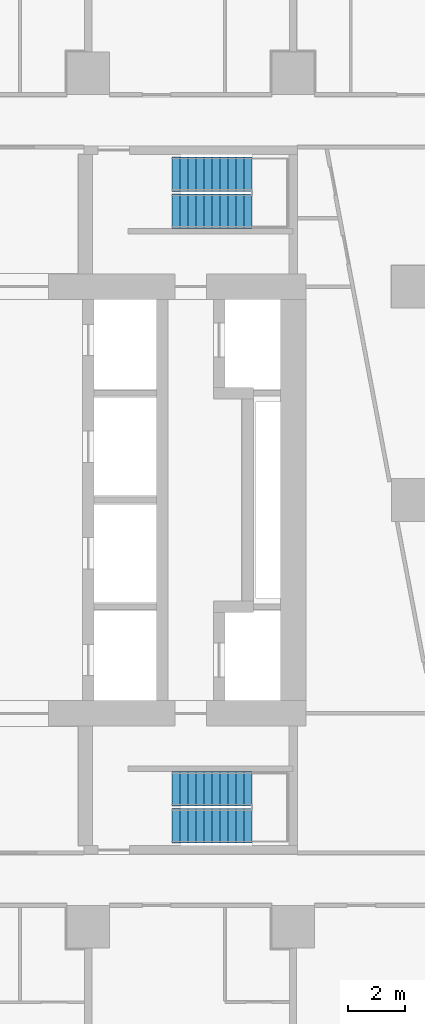
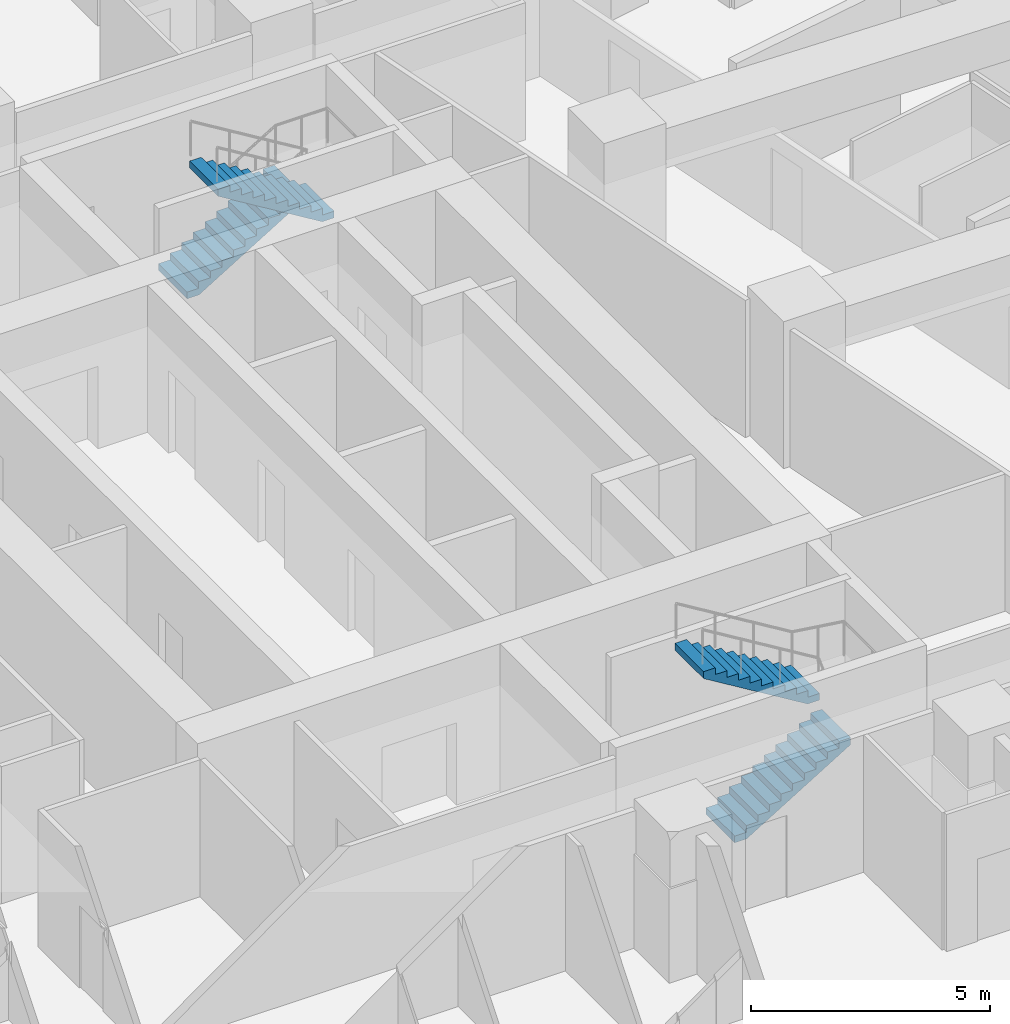
# One storey, part 13 of 15: 4 stair flights, 2 elements without a shape of their own.
"""IFC4 building model written with IfcOpenShell, lengths in metres."""

from ifc_helpers import new_model, si_unit, direction, frame, origin, place, context, subcontext, project, spatial, triangles, material, type_object, element, aggregate, save


model = new_model("IFC4")

# Units and contexts
model_context = context("Model", 3, precision=1e-05, world=origin(), true_north=direction((0.0, 1.0)))
body_context = subcontext(model_context, "Body", "Model", "MODEL_VIEW")
ifc_project = project(units=[si_unit("LENGTHUNIT", "METRE"), si_unit("AREAUNIT", "SQUARE_METRE"), si_unit("VOLUMEUNIT", "CUBIC_METRE"), si_unit("PLANEANGLEUNIT", "RADIAN"), si_unit("MASSUNIT", "GRAM", prefix="KILO")], contexts=[model_context])

# Site, building, storey
site_placement = place(None, origin())
site = spatial("IfcSite", under=ifc_project, at=site_placement, CompositionType="ELEMENT")
building_placement = place(site_placement, origin())
building = spatial("IfcBuilding", under=site, at=building_placement, Name="Sheger Commons Tower", CompositionType="ELEMENT")
storey_placement = place(building_placement, frame((0.0, 0.0, 173.300048828125)))
storey = spatial("IfcBuildingStorey", under=building, at=storey_placement, Name="L44", CompositionType="ELEMENT", Elevation=173.300048828125)

# Stair, stair flights
ifc_material_1 = material(Name="Concrete C35/45", Category="concrete")
stair_type = type_object("IfcStairType", Name="HALF-TURN STAIR 1200 RISE 3750", PredefinedType="HALF_TURN_STAIR", material=ifc_material_1)
stair_1_placement = place(storey_placement, origin())
stair_1 = element("IfcStair", 1, at=stair_1_placement, inside=storey, type_object=stair_type, Name="Stair S1 L44", PredefinedType="HALF_TURN_STAIR")
ifc_material_2 = material(Name="Concrete C35/45", Category="concrete")
stair_flight_type = type_object("IfcStairFlightType", Name="STAIR FLIGHT 1200 11 RISERS OF 170", PredefinedType="STRAIGHT", material=ifc_material_2)
stair_flight_1_placement = place(storey_placement, frame((24.550048828125, 11.050048828125, 0.0), z_axis=(0.0, 0.0, 1.0), x_axis=(1.0, 0.0, 0.0)))
stair_flight_1 = element("IfcStairFlight", 2, at=stair_flight_1_placement, type_object=stair_flight_type, Name="S1 flight 1", NumberOfRisers=11, NumberOfTreads=10, PredefinedType="STRAIGHT", RiserHeight=0.170454545, TreadLength=0.28, context=body_context, shape_type="Tessellation", body=[
    triangles([(0.0, 0.5999755859375, 0.0), (0.0, 0.5999755859375, 0.17041015625), (0.280029296875, 0.5999755859375, 0.17041015625), (0.280029296875, 0.5999755859375, 0.3408203125), (0.56005859375, 0.5999755859375, 0.3408203125), (0.56005859375, 0.5999755859375, 0.511474609375), (0.840087890625, 0.5999755859375, 0.511474609375), (0.840087890625, 0.5999755859375, 0.681884765625), (1.1201171875, 0.5999755859375, 0.681884765625), (1.1201171875, 0.5999755859375, 0.852294921875), (1.39990234375, 0.5999755859375, 0.852294921875), (1.39990234375, 0.5999755859375, 1.022705078125), (1.679931640625, 0.5999755859375, 1.022705078125), (1.679931640625, 0.5999755859375, 1.193115234375), (1.9599609375, 0.5999755859375, 1.193115234375), (1.9599609375, 0.5999755859375, 1.363525390625), (2.239990234375, 0.5999755859375, 1.363525390625), (2.239990234375, 0.5999755859375, 1.5341796875), (2.52001953125, 0.5999755859375, 1.5341796875), (2.52001953125, 0.5999755859375, 1.70458984375), (2.800048828125, 0.5999755859375, 1.70458984375), (2.800048828125, 0.5999755859375, 1.529052734375), (0.288330078125, 0.5999755859375, 0.0), (0.0, -0.5999755859375, 0.0), (0.0, -0.5999755859375, 0.17041015625), (0.280029296875, -0.5999755859375, 0.17041015625), (0.280029296875, -0.5999755859375, 0.3408203125), (0.56005859375, -0.5999755859375, 0.3408203125), (0.56005859375, -0.5999755859375, 0.511474609375), (0.840087890625, -0.5999755859375, 0.511474609375), (0.840087890625, -0.5999755859375, 0.681884765625), (1.1201171875, -0.5999755859375, 0.681884765625), (1.1201171875, -0.5999755859375, 0.852294921875), (1.39990234375, -0.5999755859375, 0.852294921875), (1.39990234375, -0.5999755859375, 1.022705078125), (1.679931640625, -0.5999755859375, 1.022705078125), (1.679931640625, -0.5999755859375, 1.193115234375), (1.9599609375, -0.5999755859375, 1.193115234375), (1.9599609375, -0.5999755859375, 1.363525390625), (2.239990234375, -0.5999755859375, 1.363525390625), (2.239990234375, -0.5999755859375, 1.5341796875), (2.52001953125, -0.5999755859375, 1.5341796875), (2.52001953125, -0.5999755859375, 1.70458984375), (2.800048828125, -0.5999755859375, 1.70458984375), (2.800048828125, -0.5999755859375, 1.529052734375), (0.288330078125, -0.5999755859375, 0.0), (0.0, 0.0, 0.085205078125), (0.1400146484375, 0.0, 0.17041015625), (0.280029296875, 0.0, 0.255615234375), (0.4200439453125, 0.0, 0.3408203125), (0.56005859375, 0.0, 0.4261474609375), (0.7000732421875, 0.0, 0.511474609375), (0.840087890625, 0.0, 0.5966796875), (0.9801025390625, 0.0, 0.681884765625), (1.1201171875, 0.0, 0.76708984375), (1.260009765625, 0.0, 0.852294921875), (1.39990234375, 0.0, 0.9375), (1.5399169921875, 0.0, 1.022705078125), (1.679931640625, 0.0, 1.10791015625), (1.8199462890625, 0.0, 1.193115234375), (1.9599609375, 0.0, 1.2783203125), (2.0999755859375, 0.0, 1.363525390625), (2.239990234375, 0.0, 1.4488525390625), (2.3800048828125, 0.0, 1.5341796875), (2.52001953125, 0.0, 1.619384765625), (2.6600341796875, 0.0, 1.70458984375), (2.800048828125, 0.0, 1.6168212890625), (1.544189453125, 0.0, 0.7645263671875), (0.1441650390625, 0.0, 0.0)], [[1, 22, 23], [24, 46, 45], [22, 20, 21], [45, 44, 43], [22, 19, 20], [45, 43, 42], [22, 18, 19], [45, 42, 41], [22, 17, 18], [45, 41, 40], [17, 15, 16], [40, 39, 38], [22, 15, 17], [45, 40, 38], [15, 13, 14], [38, 37, 36], [22, 13, 15], [45, 38, 36], [13, 11, 12], [36, 35, 34], [22, 11, 13], [45, 36, 34], [11, 9, 10], [34, 33, 32], [22, 9, 11], [45, 34, 32], [9, 7, 8], [32, 31, 30], [22, 7, 9], [45, 32, 30], [7, 5, 6], [30, 29, 28], [22, 5, 7], [45, 30, 28], [5, 3, 4], [28, 27, 26], [22, 3, 5], [45, 28, 26], [1, 3, 22], [24, 45, 26], [3, 1, 2], [26, 25, 24], [1, 47, 2], [2, 47, 25], [25, 47, 24], [24, 47, 1], [2, 48, 3], [3, 48, 26], [26, 48, 25], [25, 48, 2], [3, 49, 4], [4, 49, 27], [27, 49, 26], [26, 49, 3], [4, 50, 5], [5, 50, 28], [28, 50, 27], [27, 50, 4], [5, 51, 6], [6, 51, 29], [29, 51, 28], [28, 51, 5], [6, 52, 7], [7, 52, 30], [30, 52, 29], [29, 52, 6], [7, 53, 8], [8, 53, 31], [31, 53, 30], [30, 53, 7], [8, 54, 9], [9, 54, 32], [32, 54, 31], [31, 54, 8], [9, 55, 10], [10, 55, 33], [33, 55, 32], [32, 55, 9], [10, 56, 11], [11, 56, 34], [34, 56, 33], [33, 56, 10], [11, 57, 12], [12, 57, 35], [35, 57, 34], [34, 57, 11], [12, 58, 13], [13, 58, 36], [36, 58, 35], [35, 58, 12], [13, 59, 14], [14, 59, 37], [37, 59, 36], [36, 59, 13], [14, 60, 15], [15, 60, 38], [38, 60, 37], [37, 60, 14], [15, 61, 16], [16, 61, 39], [39, 61, 38], [38, 61, 15], [16, 62, 17], [17, 62, 40], [40, 62, 39], [39, 62, 16], [17, 63, 18], [18, 63, 41], [41, 63, 40], [40, 63, 17], [18, 64, 19], [19, 64, 42], [42, 64, 41], [41, 64, 18], [19, 65, 20], [20, 65, 43], [43, 65, 42], [42, 65, 19], [20, 66, 21], [21, 66, 44], [44, 66, 43], [43, 66, 20], [21, 67, 22], [22, 67, 45], [45, 67, 44], [44, 67, 21], [22, 68, 23], [23, 68, 46], [46, 68, 45], [45, 68, 22], [23, 69, 1], [1, 69, 24], [24, 69, 46], [46, 69, 23]], closed=True),
])
stair_flight_2_placement = place(storey_placement, frame((27.35009765625, 12.35009765625, 1.875), z_axis=(0.0, 0.0, 1.0), x_axis=(-1.0, 0.0, 0.0)))
stair_flight_2 = element("IfcStairFlight", 3, at=stair_flight_2_placement, type_object=stair_flight_type, Name="S1 flight 2", NumberOfRisers=11, NumberOfTreads=10, PredefinedType="STRAIGHT", RiserHeight=0.170454545, TreadLength=0.28, context=body_context, shape_type="Tessellation", body=[
    triangles([(0.0, 0.5999755859375, 0.0), (0.0, 0.5999755859375, 0.17041015625), (0.280029296875, 0.5999755859375, 0.17041015625), (0.280029296875, 0.5999755859375, 0.3408203125), (0.56005859375, 0.5999755859375, 0.3408203125), (0.56005859375, 0.5999755859375, 0.511474609375), (0.840087890625, 0.5999755859375, 0.511474609375), (0.840087890625, 0.5999755859375, 0.681884765625), (1.1201171875, 0.5999755859375, 0.681884765625), (1.1201171875, 0.5999755859375, 0.852294921875), (1.39990234375, 0.5999755859375, 0.852294921875), (1.39990234375, 0.5999755859375, 1.022705078125), (1.679931640625, 0.5999755859375, 1.022705078125), (1.679931640625, 0.5999755859375, 1.193115234375), (1.9599609375, 0.5999755859375, 1.193115234375), (1.9599609375, 0.5999755859375, 1.363525390625), (2.239990234375, 0.5999755859375, 1.363525390625), (2.239990234375, 0.5999755859375, 1.5341796875), (2.52001953125, 0.5999755859375, 1.5341796875), (2.52001953125, 0.5999755859375, 1.70458984375), (2.800048828125, 0.5999755859375, 1.70458984375), (2.800048828125, 0.5999755859375, 1.529052734375), (0.288330078125, 0.5999755859375, 0.0), (0.0, -0.5999755859375, 0.0), (0.0, -0.5999755859375, 0.17041015625), (0.280029296875, -0.5999755859375, 0.17041015625), (0.280029296875, -0.5999755859375, 0.3408203125), (0.56005859375, -0.5999755859375, 0.3408203125), (0.56005859375, -0.5999755859375, 0.511474609375), (0.840087890625, -0.5999755859375, 0.511474609375), (0.840087890625, -0.5999755859375, 0.681884765625), (1.1201171875, -0.5999755859375, 0.681884765625), (1.1201171875, -0.5999755859375, 0.852294921875), (1.39990234375, -0.5999755859375, 0.852294921875), (1.39990234375, -0.5999755859375, 1.022705078125), (1.679931640625, -0.5999755859375, 1.022705078125), (1.679931640625, -0.5999755859375, 1.193115234375), (1.9599609375, -0.5999755859375, 1.193115234375), (1.9599609375, -0.5999755859375, 1.363525390625), (2.239990234375, -0.5999755859375, 1.363525390625), (2.239990234375, -0.5999755859375, 1.5341796875), (2.52001953125, -0.5999755859375, 1.5341796875), (2.52001953125, -0.5999755859375, 1.70458984375), (2.800048828125, -0.5999755859375, 1.70458984375), (2.800048828125, -0.5999755859375, 1.529052734375), (0.288330078125, -0.5999755859375, 0.0), (0.0, 0.0, 0.085205078125), (0.1400146484375, 0.0, 0.17041015625), (0.280029296875, 0.0, 0.255615234375), (0.4200439453125, 0.0, 0.3408203125), (0.56005859375, 0.0, 0.4261474609375), (0.7000732421875, 0.0, 0.511474609375), (0.840087890625, 0.0, 0.5966796875), (0.9801025390625, 0.0, 0.681884765625), (1.1201171875, 0.0, 0.76708984375), (1.260009765625, 0.0, 0.852294921875), (1.39990234375, 0.0, 0.9375), (1.5399169921875, 0.0, 1.022705078125), (1.679931640625, 0.0, 1.10791015625), (1.8199462890625, 0.0, 1.193115234375), (1.9599609375, 0.0, 1.2783203125), (2.0999755859375, 0.0, 1.363525390625), (2.239990234375, 0.0, 1.4488525390625), (2.3800048828125, 0.0, 1.5341796875), (2.52001953125, 0.0, 1.619384765625), (2.6600341796875, 0.0, 1.70458984375), (2.800048828125, 0.0, 1.6168212890625), (1.544189453125, 0.0, 0.7645263671875), (0.1441650390625, 0.0, 0.0)], [[1, 22, 23], [24, 46, 45], [22, 20, 21], [45, 44, 43], [22, 19, 20], [45, 43, 42], [22, 18, 19], [45, 42, 41], [22, 17, 18], [45, 41, 40], [17, 15, 16], [40, 39, 38], [22, 15, 17], [45, 40, 38], [15, 13, 14], [38, 37, 36], [22, 13, 15], [45, 38, 36], [13, 11, 12], [36, 35, 34], [22, 11, 13], [45, 36, 34], [11, 9, 10], [34, 33, 32], [22, 9, 11], [45, 34, 32], [9, 7, 8], [32, 31, 30], [22, 7, 9], [45, 32, 30], [7, 5, 6], [30, 29, 28], [22, 5, 7], [45, 30, 28], [5, 3, 4], [28, 27, 26], [22, 3, 5], [45, 28, 26], [1, 3, 22], [24, 45, 26], [3, 1, 2], [26, 25, 24], [1, 47, 2], [2, 47, 25], [25, 47, 24], [24, 47, 1], [2, 48, 3], [3, 48, 26], [26, 48, 25], [25, 48, 2], [3, 49, 4], [4, 49, 27], [27, 49, 26], [26, 49, 3], [4, 50, 5], [5, 50, 28], [28, 50, 27], [27, 50, 4], [5, 51, 6], [6, 51, 29], [29, 51, 28], [28, 51, 5], [6, 52, 7], [7, 52, 30], [30, 52, 29], [29, 52, 6], [7, 53, 8], [8, 53, 31], [31, 53, 30], [30, 53, 7], [8, 54, 9], [9, 54, 32], [32, 54, 31], [31, 54, 8], [9, 55, 10], [10, 55, 33], [33, 55, 32], [32, 55, 9], [10, 56, 11], [11, 56, 34], [34, 56, 33], [33, 56, 10], [11, 57, 12], [12, 57, 35], [35, 57, 34], [34, 57, 11], [12, 58, 13], [13, 58, 36], [36, 58, 35], [35, 58, 12], [13, 59, 14], [14, 59, 37], [37, 59, 36], [36, 59, 13], [14, 60, 15], [15, 60, 38], [38, 60, 37], [37, 60, 14], [15, 61, 16], [16, 61, 39], [39, 61, 38], [38, 61, 15], [16, 62, 17], [17, 62, 40], [40, 62, 39], [39, 62, 16], [17, 63, 18], [18, 63, 41], [41, 63, 40], [40, 63, 17], [18, 64, 19], [19, 64, 42], [42, 64, 41], [41, 64, 18], [19, 65, 20], [20, 65, 43], [43, 65, 42], [42, 65, 19], [20, 66, 21], [21, 66, 44], [44, 66, 43], [43, 66, 20], [21, 67, 22], [22, 67, 45], [45, 67, 44], [44, 67, 21], [22, 68, 23], [23, 68, 46], [46, 68, 45], [45, 68, 22], [23, 69, 1], [1, 69, 24], [24, 69, 46], [46, 69, 23]], closed=True),
])
aggregate(stair_1, [stair_flight_1, stair_flight_2])

stair_2_placement = place(storey_placement, origin())
stair_2 = element("IfcStair", 4, at=stair_2_placement, inside=storey, type_object=stair_type, Name="Stair S2 L44", PredefinedType="HALF_TURN_STAIR")
stair_flight_3_placement = place(storey_placement, frame((24.550048828125, 33.949951171875, 0.0), z_axis=(0.0, 0.0, 1.0), x_axis=(1.0, 0.0, 0.0)))
stair_flight_3 = element("IfcStairFlight", 5, at=stair_flight_3_placement, type_object=stair_flight_type, Name="S2 flight 1", NumberOfRisers=11, NumberOfTreads=10, PredefinedType="STRAIGHT", RiserHeight=0.170454545, TreadLength=0.28, context=body_context, shape_type="Tessellation", body=[
    triangles([(0.0, 0.5999755859375, 0.0), (0.0, 0.5999755859375, 0.17041015625), (0.280029296875, 0.5999755859375, 0.17041015625), (0.280029296875, 0.5999755859375, 0.3408203125), (0.56005859375, 0.5999755859375, 0.3408203125), (0.56005859375, 0.5999755859375, 0.511474609375), (0.840087890625, 0.5999755859375, 0.511474609375), (0.840087890625, 0.5999755859375, 0.681884765625), (1.1201171875, 0.5999755859375, 0.681884765625), (1.1201171875, 0.5999755859375, 0.852294921875), (1.39990234375, 0.5999755859375, 0.852294921875), (1.39990234375, 0.5999755859375, 1.022705078125), (1.679931640625, 0.5999755859375, 1.022705078125), (1.679931640625, 0.5999755859375, 1.193115234375), (1.9599609375, 0.5999755859375, 1.193115234375), (1.9599609375, 0.5999755859375, 1.363525390625), (2.239990234375, 0.5999755859375, 1.363525390625), (2.239990234375, 0.5999755859375, 1.5341796875), (2.52001953125, 0.5999755859375, 1.5341796875), (2.52001953125, 0.5999755859375, 1.70458984375), (2.800048828125, 0.5999755859375, 1.70458984375), (2.800048828125, 0.5999755859375, 1.529052734375), (0.288330078125, 0.5999755859375, 0.0), (0.0, -0.5999755859375, 0.0), (0.0, -0.5999755859375, 0.17041015625), (0.280029296875, -0.5999755859375, 0.17041015625), (0.280029296875, -0.5999755859375, 0.3408203125), (0.56005859375, -0.5999755859375, 0.3408203125), (0.56005859375, -0.5999755859375, 0.511474609375), (0.840087890625, -0.5999755859375, 0.511474609375), (0.840087890625, -0.5999755859375, 0.681884765625), (1.1201171875, -0.5999755859375, 0.681884765625), (1.1201171875, -0.5999755859375, 0.852294921875), (1.39990234375, -0.5999755859375, 0.852294921875), (1.39990234375, -0.5999755859375, 1.022705078125), (1.679931640625, -0.5999755859375, 1.022705078125), (1.679931640625, -0.5999755859375, 1.193115234375), (1.9599609375, -0.5999755859375, 1.193115234375), (1.9599609375, -0.5999755859375, 1.363525390625), (2.239990234375, -0.5999755859375, 1.363525390625), (2.239990234375, -0.5999755859375, 1.5341796875), (2.52001953125, -0.5999755859375, 1.5341796875), (2.52001953125, -0.5999755859375, 1.70458984375), (2.800048828125, -0.5999755859375, 1.70458984375), (2.800048828125, -0.5999755859375, 1.529052734375), (0.288330078125, -0.5999755859375, 0.0), (0.0, 0.0, 0.085205078125), (0.1400146484375, 0.0, 0.17041015625), (0.280029296875, 0.0, 0.255615234375), (0.4200439453125, 0.0, 0.3408203125), (0.56005859375, 0.0, 0.4261474609375), (0.7000732421875, 0.0, 0.511474609375), (0.840087890625, 0.0, 0.5966796875), (0.9801025390625, 0.0, 0.681884765625), (1.1201171875, 0.0, 0.76708984375), (1.260009765625, 0.0, 0.852294921875), (1.39990234375, 0.0, 0.9375), (1.5399169921875, 0.0, 1.022705078125), (1.679931640625, 0.0, 1.10791015625), (1.8199462890625, 0.0, 1.193115234375), (1.9599609375, 0.0, 1.2783203125), (2.0999755859375, 0.0, 1.363525390625), (2.239990234375, 0.0, 1.4488525390625), (2.3800048828125, 0.0, 1.5341796875), (2.52001953125, 0.0, 1.619384765625), (2.6600341796875, 0.0, 1.70458984375), (2.800048828125, 0.0, 1.6168212890625), (1.544189453125, 0.0, 0.7645263671875), (0.1441650390625, 0.0, 0.0)], [[1, 22, 23], [24, 46, 45], [22, 20, 21], [45, 44, 43], [22, 19, 20], [45, 43, 42], [22, 18, 19], [45, 42, 41], [22, 17, 18], [45, 41, 40], [17, 15, 16], [40, 39, 38], [22, 15, 17], [45, 40, 38], [15, 13, 14], [38, 37, 36], [22, 13, 15], [45, 38, 36], [13, 11, 12], [36, 35, 34], [22, 11, 13], [45, 36, 34], [11, 9, 10], [34, 33, 32], [22, 9, 11], [45, 34, 32], [9, 7, 8], [32, 31, 30], [22, 7, 9], [45, 32, 30], [7, 5, 6], [30, 29, 28], [22, 5, 7], [45, 30, 28], [5, 3, 4], [28, 27, 26], [22, 3, 5], [45, 28, 26], [1, 3, 22], [24, 45, 26], [3, 1, 2], [26, 25, 24], [1, 47, 2], [2, 47, 25], [25, 47, 24], [24, 47, 1], [2, 48, 3], [3, 48, 26], [26, 48, 25], [25, 48, 2], [3, 49, 4], [4, 49, 27], [27, 49, 26], [26, 49, 3], [4, 50, 5], [5, 50, 28], [28, 50, 27], [27, 50, 4], [5, 51, 6], [6, 51, 29], [29, 51, 28], [28, 51, 5], [6, 52, 7], [7, 52, 30], [30, 52, 29], [29, 52, 6], [7, 53, 8], [8, 53, 31], [31, 53, 30], [30, 53, 7], [8, 54, 9], [9, 54, 32], [32, 54, 31], [31, 54, 8], [9, 55, 10], [10, 55, 33], [33, 55, 32], [32, 55, 9], [10, 56, 11], [11, 56, 34], [34, 56, 33], [33, 56, 10], [11, 57, 12], [12, 57, 35], [35, 57, 34], [34, 57, 11], [12, 58, 13], [13, 58, 36], [36, 58, 35], [35, 58, 12], [13, 59, 14], [14, 59, 37], [37, 59, 36], [36, 59, 13], [14, 60, 15], [15, 60, 38], [38, 60, 37], [37, 60, 14], [15, 61, 16], [16, 61, 39], [39, 61, 38], [38, 61, 15], [16, 62, 17], [17, 62, 40], [40, 62, 39], [39, 62, 16], [17, 63, 18], [18, 63, 41], [41, 63, 40], [40, 63, 17], [18, 64, 19], [19, 64, 42], [42, 64, 41], [41, 64, 18], [19, 65, 20], [20, 65, 43], [43, 65, 42], [42, 65, 19], [20, 66, 21], [21, 66, 44], [44, 66, 43], [43, 66, 20], [21, 67, 22], [22, 67, 45], [45, 67, 44], [44, 67, 21], [22, 68, 23], [23, 68, 46], [46, 68, 45], [45, 68, 22], [23, 69, 1], [1, 69, 24], [24, 69, 46], [46, 69, 23]], closed=True),
])
stair_flight_4_placement = place(storey_placement, frame((27.35009765625, 32.64990234375, 1.875), z_axis=(0.0, 0.0, 1.0), x_axis=(-1.0, 0.0, 0.0)))
stair_flight_4 = element("IfcStairFlight", 6, at=stair_flight_4_placement, type_object=stair_flight_type, Name="S2 flight 2", NumberOfRisers=11, NumberOfTreads=10, PredefinedType="STRAIGHT", RiserHeight=0.170454545, TreadLength=0.28, context=body_context, shape_type="Tessellation", body=[
    triangles([(0.0, 0.5999755859375, 0.0), (0.0, 0.5999755859375, 0.17041015625), (0.280029296875, 0.5999755859375, 0.17041015625), (0.280029296875, 0.5999755859375, 0.3408203125), (0.56005859375, 0.5999755859375, 0.3408203125), (0.56005859375, 0.5999755859375, 0.511474609375), (0.840087890625, 0.5999755859375, 0.511474609375), (0.840087890625, 0.5999755859375, 0.681884765625), (1.1201171875, 0.5999755859375, 0.681884765625), (1.1201171875, 0.5999755859375, 0.852294921875), (1.39990234375, 0.5999755859375, 0.852294921875), (1.39990234375, 0.5999755859375, 1.022705078125), (1.679931640625, 0.5999755859375, 1.022705078125), (1.679931640625, 0.5999755859375, 1.193115234375), (1.9599609375, 0.5999755859375, 1.193115234375), (1.9599609375, 0.5999755859375, 1.363525390625), (2.239990234375, 0.5999755859375, 1.363525390625), (2.239990234375, 0.5999755859375, 1.5341796875), (2.52001953125, 0.5999755859375, 1.5341796875), (2.52001953125, 0.5999755859375, 1.70458984375), (2.800048828125, 0.5999755859375, 1.70458984375), (2.800048828125, 0.5999755859375, 1.529052734375), (0.288330078125, 0.5999755859375, 0.0), (0.0, -0.5999755859375, 0.0), (0.0, -0.5999755859375, 0.17041015625), (0.280029296875, -0.5999755859375, 0.17041015625), (0.280029296875, -0.5999755859375, 0.3408203125), (0.56005859375, -0.5999755859375, 0.3408203125), (0.56005859375, -0.5999755859375, 0.511474609375), (0.840087890625, -0.5999755859375, 0.511474609375), (0.840087890625, -0.5999755859375, 0.681884765625), (1.1201171875, -0.5999755859375, 0.681884765625), (1.1201171875, -0.5999755859375, 0.852294921875), (1.39990234375, -0.5999755859375, 0.852294921875), (1.39990234375, -0.5999755859375, 1.022705078125), (1.679931640625, -0.5999755859375, 1.022705078125), (1.679931640625, -0.5999755859375, 1.193115234375), (1.9599609375, -0.5999755859375, 1.193115234375), (1.9599609375, -0.5999755859375, 1.363525390625), (2.239990234375, -0.5999755859375, 1.363525390625), (2.239990234375, -0.5999755859375, 1.5341796875), (2.52001953125, -0.5999755859375, 1.5341796875), (2.52001953125, -0.5999755859375, 1.70458984375), (2.800048828125, -0.5999755859375, 1.70458984375), (2.800048828125, -0.5999755859375, 1.529052734375), (0.288330078125, -0.5999755859375, 0.0), (0.0, 0.0, 0.085205078125), (0.1400146484375, 0.0, 0.17041015625), (0.280029296875, 0.0, 0.255615234375), (0.4200439453125, 0.0, 0.3408203125), (0.56005859375, 0.0, 0.4261474609375), (0.7000732421875, 0.0, 0.511474609375), (0.840087890625, 0.0, 0.5966796875), (0.9801025390625, 0.0, 0.681884765625), (1.1201171875, 0.0, 0.76708984375), (1.260009765625, 0.0, 0.852294921875), (1.39990234375, 0.0, 0.9375), (1.5399169921875, 0.0, 1.022705078125), (1.679931640625, 0.0, 1.10791015625), (1.8199462890625, 0.0, 1.193115234375), (1.9599609375, 0.0, 1.2783203125), (2.0999755859375, 0.0, 1.363525390625), (2.239990234375, 0.0, 1.4488525390625), (2.3800048828125, 0.0, 1.5341796875), (2.52001953125, 0.0, 1.619384765625), (2.6600341796875, 0.0, 1.70458984375), (2.800048828125, 0.0, 1.6168212890625), (1.544189453125, 0.0, 0.7645263671875), (0.1441650390625, 0.0, 0.0)], [[1, 22, 23], [24, 46, 45], [22, 20, 21], [45, 44, 43], [22, 19, 20], [45, 43, 42], [22, 18, 19], [45, 42, 41], [22, 17, 18], [45, 41, 40], [17, 15, 16], [40, 39, 38], [22, 15, 17], [45, 40, 38], [15, 13, 14], [38, 37, 36], [22, 13, 15], [45, 38, 36], [13, 11, 12], [36, 35, 34], [22, 11, 13], [45, 36, 34], [11, 9, 10], [34, 33, 32], [22, 9, 11], [45, 34, 32], [9, 7, 8], [32, 31, 30], [22, 7, 9], [45, 32, 30], [7, 5, 6], [30, 29, 28], [22, 5, 7], [45, 30, 28], [5, 3, 4], [28, 27, 26], [22, 3, 5], [45, 28, 26], [1, 3, 22], [24, 45, 26], [3, 1, 2], [26, 25, 24], [1, 47, 2], [2, 47, 25], [25, 47, 24], [24, 47, 1], [2, 48, 3], [3, 48, 26], [26, 48, 25], [25, 48, 2], [3, 49, 4], [4, 49, 27], [27, 49, 26], [26, 49, 3], [4, 50, 5], [5, 50, 28], [28, 50, 27], [27, 50, 4], [5, 51, 6], [6, 51, 29], [29, 51, 28], [28, 51, 5], [6, 52, 7], [7, 52, 30], [30, 52, 29], [29, 52, 6], [7, 53, 8], [8, 53, 31], [31, 53, 30], [30, 53, 7], [8, 54, 9], [9, 54, 32], [32, 54, 31], [31, 54, 8], [9, 55, 10], [10, 55, 33], [33, 55, 32], [32, 55, 9], [10, 56, 11], [11, 56, 34], [34, 56, 33], [33, 56, 10], [11, 57, 12], [12, 57, 35], [35, 57, 34], [34, 57, 11], [12, 58, 13], [13, 58, 36], [36, 58, 35], [35, 58, 12], [13, 59, 14], [14, 59, 37], [37, 59, 36], [36, 59, 13], [14, 60, 15], [15, 60, 38], [38, 60, 37], [37, 60, 14], [15, 61, 16], [16, 61, 39], [39, 61, 38], [38, 61, 15], [16, 62, 17], [17, 62, 40], [40, 62, 39], [39, 62, 16], [17, 63, 18], [18, 63, 41], [41, 63, 40], [40, 63, 17], [18, 64, 19], [19, 64, 42], [42, 64, 41], [41, 64, 18], [19, 65, 20], [20, 65, 43], [43, 65, 42], [42, 65, 19], [20, 66, 21], [21, 66, 44], [44, 66, 43], [43, 66, 20], [21, 67, 22], [22, 67, 45], [45, 67, 44], [44, 67, 21], [22, 68, 23], [23, 68, 46], [46, 68, 45], [45, 68, 22], [23, 69, 1], [1, 69, 24], [24, 69, 46], [46, 69, 23]], closed=True),
])
aggregate(stair_2, [stair_flight_3, stair_flight_4])

save(model, "model.ifc")
